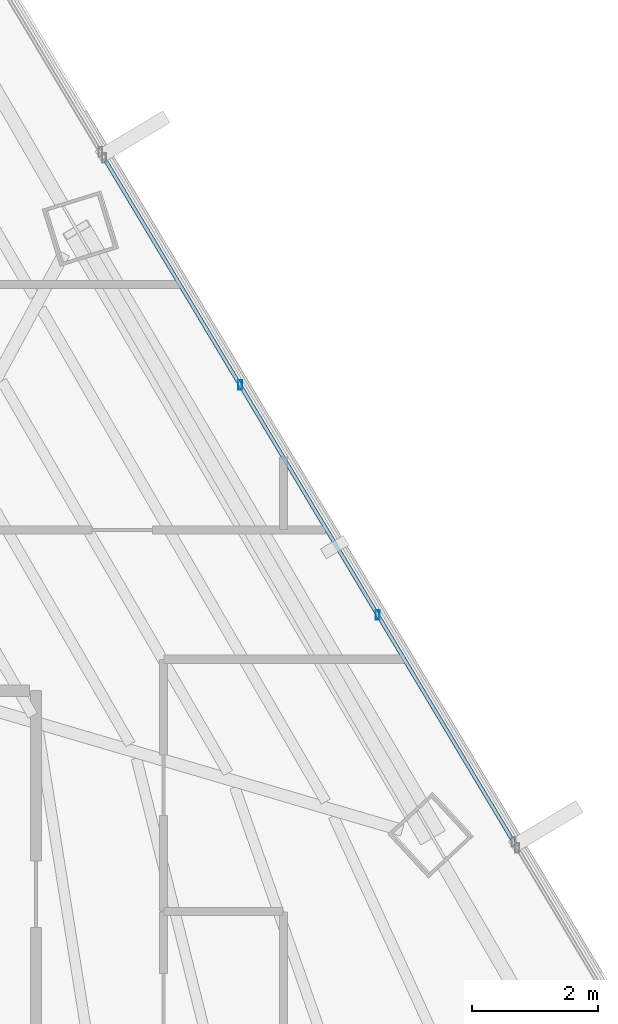
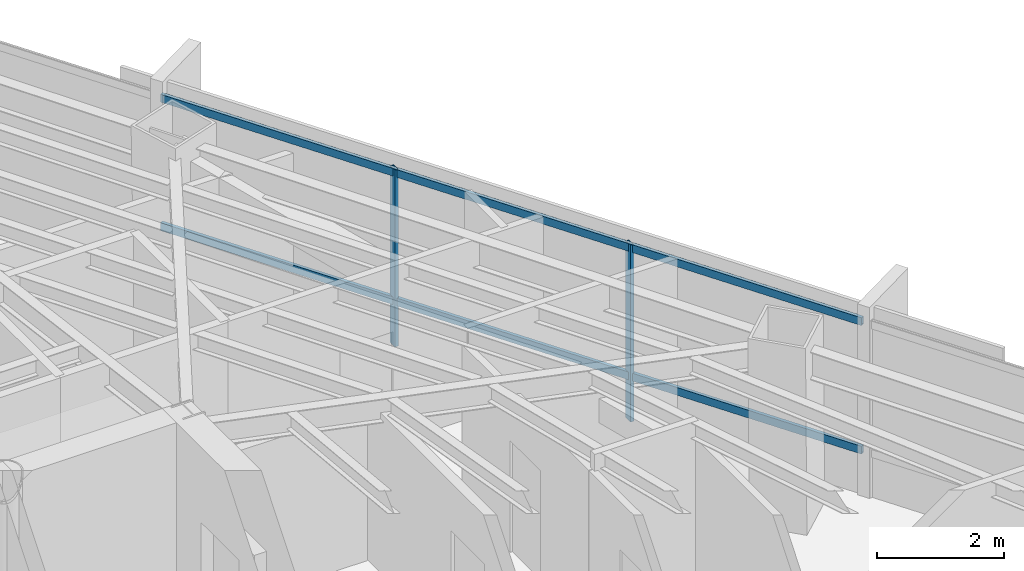
# One storey, part 24 of 40: 4 members, 1 element without a shape of its own.
"""IFC4 building model written with IfcOpenShell, lengths in metres."""

from ifc_helpers import new_model, si_unit, direction, frame, origin, origin_2d, place, context, subcontext, project, spatial, hollow_rectangle, extrude, source, transform, mapped, material, material_profile, profile_set, type_object, type_shapes, element, aggregate, save


model = new_model("IFC4")

# Units and contexts
model_context = context("Model", 3, precision=1e-05, world=origin(), true_north=direction((0.0, 1.0)))
body_context = subcontext(model_context, "Body", "Model", "MODEL_VIEW")
ifc_project = project(units=[si_unit("LENGTHUNIT", "METRE"), si_unit("AREAUNIT", "SQUARE_METRE"), si_unit("VOLUMEUNIT", "CUBIC_METRE"), si_unit("PLANEANGLEUNIT", "RADIAN"), si_unit("MASSUNIT", "GRAM", prefix="KILO")], contexts=[model_context])

# Site, building, storey
site_placement = place(None, origin())
site = spatial("IfcSite", under=ifc_project, at=site_placement, CompositionType="ELEMENT")
building_placement = place(site_placement, origin())
building = spatial("IfcBuilding", under=site, at=building_placement, Name="Caelisora Broadcast Tower", CompositionType="ELEMENT")
storey_placement = place(building_placement, frame((0.0, 0.0, 176.75)))
storey = spatial("IfcBuildingStorey", under=building, at=storey_placement, Name="L46", CompositionType="ELEMENT", Elevation=176.75)

# Curtain wall, members
ifc_material_1 = material(Name="Unitised Aluminium Insulated Shadow-Box Spandrel Curtain Wall", Category="aluminium")
curtain_wall_type = type_object("IfcCurtainWallType", Name="CW-SP2", PredefinedType="NOTDEFINED", material=ifc_material_1)
curtain_wall_placement = place(storey_placement, origin())
curtain_wall = element("IfcCurtainWall", 1, at=curtain_wall_placement, inside=storey, type_object=curtain_wall_type, Name="L46 curtain wall CW-SP2", PredefinedType="NOTDEFINED")
ifc_material_2 = material(Name="Aluminium 6063-T6 Anodised Terracotta Bronze", Category="aluminium")
ifc_material_profile_1 = material_profile(ifc_material_2, hollow_rectangle(XDim=0.06005859375, YDim=0.14990234375, WallThickness=0.00341796875, at=origin_2d()), Name="Aluminium 6063-T6 Anodised Terracotta Bronze")
ifc_profile_set_1 = profile_set([ifc_material_profile_1], Name="Aluminium 6063-T6 Anodised Terracotta Bronze")
member_type_1 = type_object("IfcMemberType", Name="CWM-03", PredefinedType="MULLION", material=ifc_profile_set_1)
shared_shape_1 = source(origin(), body_context, "Body", "SweptSolid", [
    extrude(hollow_rectangle(XDim=0.06005859375, YDim=0.14990234375, WallThickness=0.00341796875, at=origin_2d()), origin(), (0.0, 0.0, 1.0), 3.39990234375),
])
type_shapes(member_type_1, [shared_shape_1])
member_1_placement = place(storey_placement, frame((51.814697265625, 34.44384765625, 0.0), z_axis=(0.0, 0.0, 1.0), x_axis=(1.0, 0.0, 0.0)))
member_1 = element("IfcMember", 2, at=member_1_placement, type_object=member_type_1, Name="L46-CW-B02 mullion #1", PredefinedType="MULLION", context=body_context, shape_type="MappedRepresentation", body=[
    mapped(shared_shape_1, transform((0.0, 0.0, 0.0), scale=1.0)),
])
member_2_placement = place(storey_placement, frame((53.9951171875, 30.802734375, 0.0), z_axis=(0.0, 0.0, 1.0), x_axis=(1.0, 0.0, 0.0)))
member_2 = element("IfcMember", 3, at=member_2_placement, type_object=member_type_1, Name="L46-CW-B02 mullion #2", PredefinedType="MULLION", context=body_context, shape_type="MappedRepresentation", body=[
    mapped(shared_shape_1, transform((0.0, 0.0, 0.0), scale=1.0)),
])
ifc_material_profile_2 = material_profile(ifc_material_2, hollow_rectangle(XDim=0.06005859375, YDim=0.14990234375, WallThickness=0.00341796875, at=origin_2d()), Name="Aluminium 6063-T6 Anodised Terracotta Bronze")
ifc_profile_set_2 = profile_set([ifc_material_profile_2], Name="Aluminium 6063-T6 Anodised Terracotta Bronze")
member_type_2 = type_object("IfcMemberType", Name="CWT-02", PredefinedType="USERDEFINED", material=ifc_profile_set_2)
shared_shape_2 = source(origin(), body_context, "Body", "SweptSolid", [
    extrude(hollow_rectangle(XDim=0.06005859375, YDim=0.14990234375, WallThickness=0.00341796875, at=origin_2d()), origin(), (0.0, 0.0, 1.0), 12.632568359375),
])
type_shapes(member_type_2, [shared_shape_2])
member_3_placement = place(storey_placement, frame((49.659912109375, 38.042236328125, 0.85009765625), z_axis=(0.513753770097, -0.857937680552, 0.0), x_axis=(0.857937680552, 0.513753770097, 0.0)))
member_3 = element("IfcMember", 4, at=member_3_placement, type_object=member_type_2, Name="L46-CW-B02 transom #1", ObjectType="TRANSOM", PredefinedType="USERDEFINED", context=body_context, shape_type="MappedRepresentation", body=[
    mapped(shared_shape_2, transform((0.0, 0.0, 0.0), scale=1.0)),
])
member_4_placement = place(storey_placement, frame((49.659912109375, 38.042236328125, 3.320068359375), z_axis=(0.513753770097, -0.857937680552, 0.0), x_axis=(0.857937680552, 0.513753770097, 0.0)))
member_4 = element("IfcMember", 5, at=member_4_placement, type_object=member_type_2, Name="L46-CW-B02 transom #2", ObjectType="TRANSOM", PredefinedType="USERDEFINED", context=body_context, shape_type="MappedRepresentation", body=[
    mapped(shared_shape_2, transform((0.0, 0.0, 0.0), scale=1.0)),
])
aggregate(curtain_wall, [member_1, member_2, member_3, member_4])

save(model, "model.ifc")
